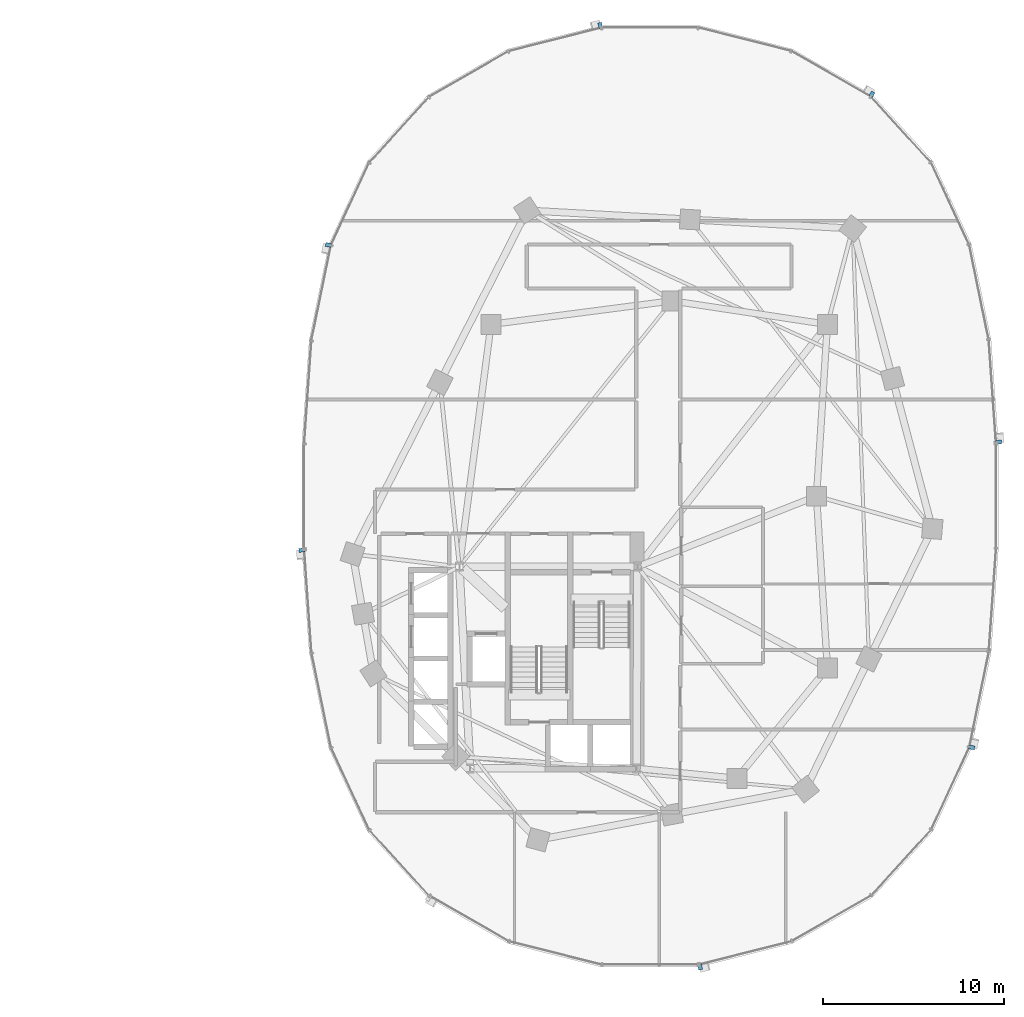
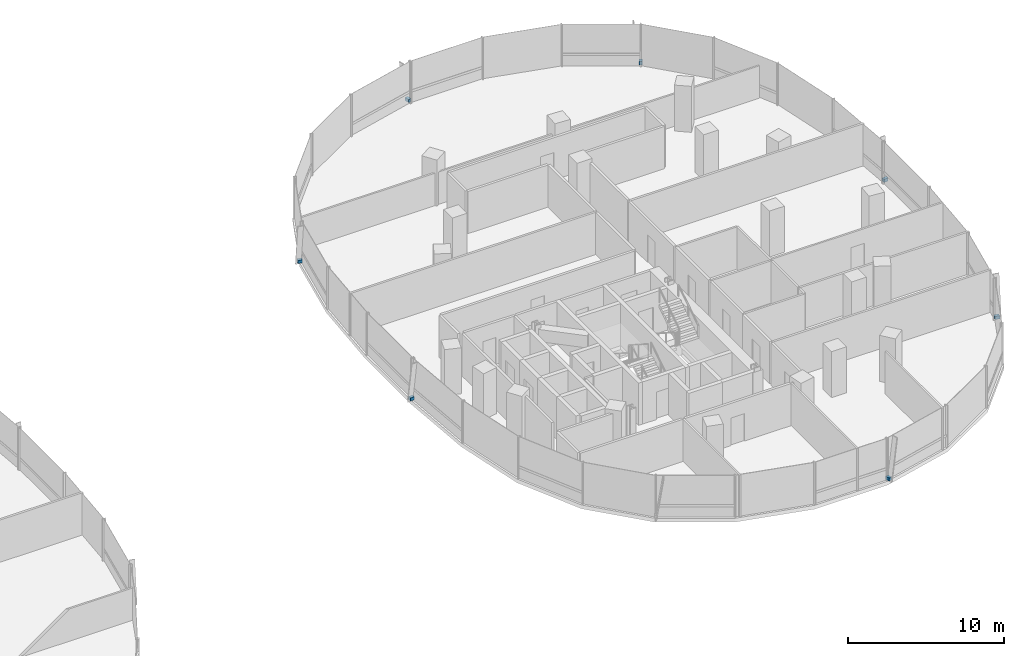
# One storey, part 16 of 21: 7 discrete accessories.
"""IFC4 building model written with IfcOpenShell, lengths in metres."""

from ifc_helpers import new_model, si_unit, direction, frame, origin, origin_2d, place, context, subcontext, project, spatial, rectangle, extrude, material, type_object, element, save


model = new_model("IFC4")

# Units and contexts
model_context = context("Model", 3, precision=1e-05, world=origin(), true_north=direction((0.0, 1.0)))
body_context = subcontext(model_context, "Body", "Model", "MODEL_VIEW")
ifc_project = project(units=[si_unit("LENGTHUNIT", "METRE"), si_unit("AREAUNIT", "SQUARE_METRE"), si_unit("VOLUMEUNIT", "CUBIC_METRE"), si_unit("PLANEANGLEUNIT", "RADIAN"), si_unit("MASSUNIT", "GRAM", prefix="KILO"), si_unit("THERMODYNAMICTEMPERATUREUNIT", "KELVIN"), si_unit("POWERUNIT", "WATT")], contexts=[model_context])

# Site, building, storey
site_placement = place(None, origin())
site = spatial("IfcSite", under=ifc_project, at=site_placement, CompositionType="ELEMENT")
building_placement = place(site_placement, origin())
building = spatial("IfcBuilding", under=site, at=building_placement, Name="Cundina Bronze Exchange", CompositionType="ELEMENT")
storey_placement = place(building_placement, frame((0.0, 0.0, 117.800048828125)))
storey = spatial("IfcBuildingStorey", under=building, at=storey_placement, Name="L30", CompositionType="ELEMENT", Elevation=117.800048828125)

# Discrete accessories
ifc_material = material(Name="Anodised Bronze Aluminium 6063-T6", Category="aluminium")
discrete_accessory_type = type_object("IfcDiscreteAccessoryType", Name="ACC-BRK-FIN", PredefinedType="BRACKET", material=ifc_material)
for number, where, z_axis, x_axis, name in (
    (1, (51.264404296875, 2.986083984375, 0.10009765625), (0.0, 0.0, 1.0), (-0.070278787473, 0.997527389113, 0.0), "L30 Fin Support Bracket 1"),
    (2, (44.259521484375, 22.21875, 0.10009765625), (0.0, 0.0, 1.0), (-0.867105478933, 0.498124571171, 0.0), "L30 Fin Support Bracket 5"),
    (3, (29.23974609375, 26.03173828125, 0.10009765625), (0.0, 0.0, 1.0), (-0.969488149345, -0.245138182011, 0.0), "L30 Fin Support Bracket 1"),
    (4, (14.211669921875, 13.8896484375, 0.10009765625), (0.0, 0.0, 1.0), (-0.201419845156, -0.979505000486, 0.0), "L30 Fin Support Bracket 5"),
    (5, (12.735595703125, -2.986083984375, 0.10009765625), (0.0, 0.0, 1.0), (0.070278787473, -0.997527389113, 0.0), "L30 Fin Support Bracket 1"),
    (6, (34.76025390625, -26.03173828125, 0.10009765625), (0.0, 0.0, 1.0), (0.969488149345, 0.245138182011, 0.0), "L30 Fin Support Bracket 1"),
    (7, (49.788330078125, -13.8896484375, 0.10009765625), (0.0, 0.0, 1.0), (0.201419845156, 0.979505000486, 0.0), "L30 Fin Support Bracket 5"),
):
    element("IfcDiscreteAccessory", number, at=place(storey_placement, frame(where, z_axis=z_axis, x_axis=x_axis)), inside=storey, type_object=discrete_accessory_type, Name=name, PredefinedType="BRACKET", context=body_context, shape_type="SweptSolid", body=[
        extrude(rectangle(XDim=0.219970703125, YDim=0.320068359375, at=origin_2d()), origin(), (0.0, 0.0, 1.0), 0.239990234375),
    ])

save(model, "model.ifc")
